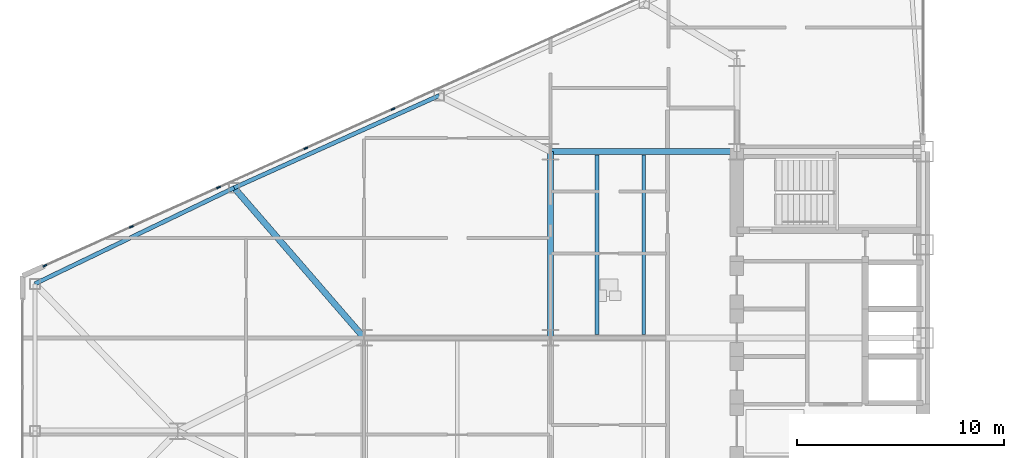
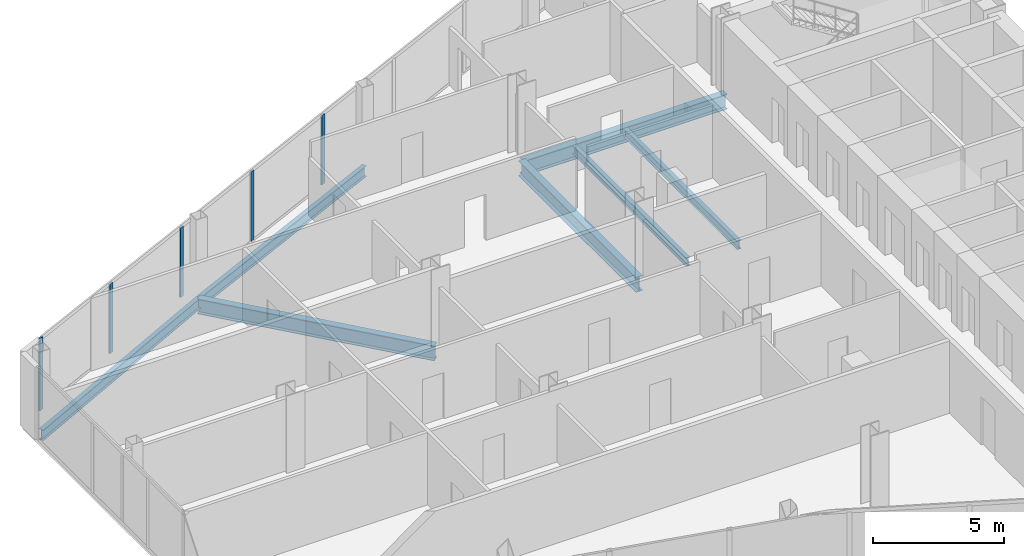
# One storey, part 7 of 27: 7 beams, 5 members, 1 element without a shape of its own.
"""IFC4 building model written with IfcOpenShell, lengths in metres."""

from ifc_helpers import new_model, si_unit, direction, frame, origin, origin_2d, place, context, subcontext, project, spatial, rectangle, i_section, extrude, source, transform, mapped, material, layer, layer_set, material_profile, profile_set, type_object, type_shapes, element, aggregate, save


model = new_model("IFC4")

# Units and contexts
model_context = context("Model", 3, precision=1e-05, world=origin(), true_north=direction((0.0, 1.0)))
body_context = subcontext(model_context, "Body", "Model", "MODEL_VIEW")
ifc_project = project(units=[si_unit("LENGTHUNIT", "METRE"), si_unit("AREAUNIT", "SQUARE_METRE"), si_unit("VOLUMEUNIT", "CUBIC_METRE"), si_unit("PLANEANGLEUNIT", "RADIAN"), si_unit("MASSUNIT", "GRAM", prefix="KILO")], contexts=[model_context])

# Site, building, storey
site_placement = place(None, origin())
site = spatial("IfcSite", under=ifc_project, at=site_placement, CompositionType="ELEMENT")
building_placement = place(site_placement, origin())
building = spatial("IfcBuilding", under=site, at=building_placement, Name="Seokmaru Belvedere", CompositionType="ELEMENT")
storey_placement = place(building_placement, frame((0.0, 0.0, 80.10009765625)))
storey = spatial("IfcBuildingStorey", under=building, at=storey_placement, Name="L21", CompositionType="ELEMENT", Elevation=80.10009765625)

# Beams
ifc_material_1 = material(Name="Steel SM355 (355 MPa)", Category="steel")
ifc_material_profile_1 = material_profile(ifc_material_1, i_section(OverallWidth=0.300048828125, OverallDepth=0.699951171875, WebThickness=0.012939453125, FlangeThickness=0.02392578125, at=origin_2d()), Name="H-700x300x13x24")
ifc_profile_set_1 = profile_set([ifc_material_profile_1], Name="Steel SM355 (355 MPa)")
beam_type_1 = type_object("IfcBeamType", Name="Primary Floor Girder H-700", PredefinedType="BEAM", material=ifc_profile_set_1)
shared_shape_1 = source(origin(), body_context, "Body", "SweptSolid", [
    extrude(i_section(OverallWidth=0.300048828125, OverallDepth=0.699951171875, WebThickness=0.012939453125, FlangeThickness=0.02392578125, at=origin_2d()), origin(), (0.0, 0.0, 1.0), 9.0),
])
for number, where, z_axis, x_axis, name in (
    (1, (-45.5, 4.5, -0.570068359375), (0.0, 1.0, 0.0), (-1.0, 0.0, 0.0), "L21 W Interior Grid Girder 3"),
    (2, (-45.5, 13.5, -0.570068359375), (1.0, 0.0, 0.0), (0.0, 1.0, 0.0), "L21 W Wing Primary Girder 4"),
):
    element("IfcBeam", number, at=place(storey_placement, frame(where, z_axis=z_axis, x_axis=x_axis)), inside=storey, type_object=beam_type_1, Name=name, PredefinedType="BEAM", context=body_context, shape_type="MappedRepresentation", body=[
        mapped(shared_shape_1, transform((0.0, 0.0, 0.0), scale=1.0)),
    ])
ifc_material_profile_2 = material_profile(ifc_material_1, i_section(OverallWidth=0.18505859375, OverallDepth=0.389892578125, WebThickness=0.008056640625, FlangeThickness=0.011962890625, at=origin_2d()), Name="H-390x185x8x12")
ifc_profile_set_2 = profile_set([ifc_material_profile_2], Name="Steel SM355 (355 MPa)")
beam_type_2 = type_object("IfcBeamType", Name="Secondary Floor Joist H-350", PredefinedType="JOIST", material=ifc_profile_set_2)
shared_shape_2 = source(origin(), body_context, "Body", "SweptSolid", [
    extrude(i_section(OverallWidth=0.18505859375, OverallDepth=0.389892578125, WebThickness=0.008056640625, FlangeThickness=0.011962890625, at=origin_2d()), origin(), (0.0, 0.0, 1.0), 8.68994140625),
])
type_shapes(beam_type_2, [shared_shape_2])
for number, where, z_axis, x_axis, name in (
    (3, (-43.25, 4.655029296875, -0.4150390625), (0.0, 1.0, 0.0), (-1.0, 0.0, 0.0), "L21 W Wing Inner Secondary Joist 2"),
    (4, (-41.0, 4.655029296875, -0.4150390625), (0.0, 1.0, 0.0), (-1.0, 0.0, 0.0), "L21 W Secondary Floor Joist 3"),
):
    element("IfcBeam", number, at=place(storey_placement, frame(where, z_axis=z_axis, x_axis=x_axis)), inside=storey, type_object=beam_type_2, Name=name, PredefinedType="JOIST", context=body_context, shape_type="MappedRepresentation", body=[
        mapped(shared_shape_2, transform((0.0, 0.0, 0.0), scale=1.0)),
    ])
ifc_material_profile_3 = material_profile(ifc_material_1, i_section(OverallWidth=0.199951171875, OverallDepth=0.5, WebThickness=0.010009765625, FlangeThickness=0.01611328125, at=origin_2d()), Name="H-500x200x10x16")
ifc_profile_set_3 = profile_set([ifc_material_profile_3], Name="Steel SM355 (355 MPa)")
beam_type_3 = type_object("IfcBeamType", Name="Perimeter Spandrel Beam H-500", PredefinedType="SPANDREL", material=ifc_profile_set_3)
shared_shape_3 = source(origin(), body_context, "Body", "SweptSolid", [
    extrude(i_section(OverallWidth=0.199951171875, OverallDepth=0.5, WebThickness=0.010009765625, FlangeThickness=0.01611328125, at=origin_2d()), origin(), (0.0, 0.0, 1.0), 10.85888671875),
])
beam_1_placement = place(storey_placement, frame((-50.875, 16.205322265625, -0.47021484375), z_axis=(-0.911925291223, -0.410356263785, 0.0), x_axis=(0.410356263785, -0.911925291223, 0.0)))
element("IfcBeam", 5, at=beam_1_placement, inside=storey, type_object=beam_type_3, Name="L21 W Faceted Flank Spandrel N-3", PredefinedType="SPANDREL", context=body_context, shape_type="MappedRepresentation", body=[
    mapped(shared_shape_3, transform((0.0, 0.0, 0.0), scale=1.0)),
])
shared_shape_4 = source(origin(), body_context, "Body", "SweptSolid", [
    extrude(i_section(OverallWidth=0.199951171875, OverallDepth=0.5, WebThickness=0.010009765625, FlangeThickness=0.01611328125, at=origin_2d()), origin(), (0.0, 0.0, 1.0), 10.681396484375),
])
type_shapes(beam_type_3, [shared_shape_3, shared_shape_4])
beam_2_placement = place(storey_placement, frame((-60.777587890625, 11.749267578125, -0.47021484375), z_axis=(-0.900846426616, -0.434137899352, 0.0), x_axis=(0.434137899352, -0.900846426616, 0.0)))
element("IfcBeam", 6, at=beam_2_placement, inside=storey, type_object=beam_type_3, Name="L21 W Faceted Flank Spandrel N-4", PredefinedType="SPANDREL", context=body_context, shape_type="MappedRepresentation", body=[
    mapped(shared_shape_4, transform((0.0, 0.0, 0.0), scale=1.0)),
])
shared_shape_5 = source(origin(), body_context, "Body", "SweptSolid", [
    extrude(i_section(OverallWidth=0.300048828125, OverallDepth=0.699951171875, WebThickness=0.012939453125, FlangeThickness=0.02392578125, at=origin_2d()), origin(), (0.0, 0.0, 1.0), 9.589599609375),
])
type_shapes(beam_type_1, [shared_shape_1, shared_shape_5])
beam_3_placement = place(storey_placement, frame((-60.777587890625, 11.749267578125, -0.570068359375), z_axis=(0.654626140929, -0.755952786629, 0.0), x_axis=(0.755952786629, 0.654626140929, 0.0)))
element("IfcBeam", 7, at=beam_3_placement, inside=storey, type_object=beam_type_1, Name="L21 W Flank Radial Floor Girder N-3", PredefinedType="BEAM", context=body_context, shape_type="MappedRepresentation", body=[
    mapped(shared_shape_5, transform((0.0, 0.0, 0.0), scale=1.0)),
])

# Curtain wall, members
ifc_material_2 = material(Name="Bronze Triple Insulating Glass", Category="glass")
ifc_layer = layer(ifc_material_2, 0.195068359375)
ifc_layer_set = layer_set([ifc_layer], Name="Bronze Triple Insulating Glass")
curtain_wall_type = type_object("IfcCurtainWallType", Name="Lower-Mid Tapered Curtain Wall System CW-3", PredefinedType="NOTDEFINED", material=ifc_layer_set)
curtain_wall_placement = place(storey_placement, origin())
curtain_wall = element("IfcCurtainWall", 8, at=curtain_wall_placement, inside=storey, type_object=curtain_wall_type, Name="L21 Curtain Wall WF3", PredefinedType="NOTDEFINED")
ifc_material_3 = material(Name="Anodised Bronze Aluminium", Category="aluminium")
ifc_material_profile_4 = material_profile(ifc_material_3, rectangle(XDim=0.070068359375, YDim=0.195068359375, at=origin_2d()), Name="CW-M-70x195")
ifc_profile_set_4 = profile_set([ifc_material_profile_4], Name="Anodised Bronze Aluminium")
member_type = type_object("IfcMemberType", Name="Bronze Unitised Mullion 70x195", PredefinedType="MULLION", material=ifc_profile_set_4)
shared_shape_6 = source(origin(), body_context, "Body", "SweptSolid", [
    extrude(rectangle(XDim=0.070068359375, YDim=0.195068359375, at=origin_2d()), origin(), (0.0, 0.0, 1.0), 3.3798828125),
])
member_1_placement = place(storey_placement, frame((-69.91943359375, 7.986328125, 0.0), z_axis=(0.0, 0.0, 1.0), x_axis=(0.41036554765, -0.91192111353, 0.0)))
member_1 = element("IfcMember", 9, at=member_1_placement, type_object=member_type, Name="CW:L21:WF3 Mullion 10", PredefinedType="MULLION", context=body_context, shape_type="MappedRepresentation", body=[
    mapped(shared_shape_6, transform((0.0, 0.0, 0.0), scale=1.0)),
])
shared_shape_7 = source(origin(), body_context, "Body", "SweptSolid", [
    extrude(rectangle(XDim=0.070068359375, YDim=0.195068359375, at=origin_2d()), origin(), (0.0, 0.0, 1.0), 3.239990234375),
])
type_shapes(member_type, [shared_shape_6, shared_shape_7])
member_2_placement = place(storey_placement, frame((-53.105712890625, 15.552490234375, 0.06982421875), z_axis=(0.0, 0.0, 1.0), x_axis=(0.41036554765, -0.91192111353, 0.0)))
member_2 = element("IfcMember", 10, at=member_2_placement, type_object=member_type, Name="CW:L21:WF3 Mullion 6", PredefinedType="MULLION", context=body_context, shape_type="MappedRepresentation", body=[
    mapped(shared_shape_7, transform((0.0, 0.0, 0.0), scale=1.0)),
])
member_3_placement = place(storey_placement, frame((-57.317138671875, 13.6572265625, 0.06982421875), z_axis=(0.0, 0.0, 1.0), x_axis=(0.41036554765, -0.91192111353, 0.0)))
member_3 = element("IfcMember", 11, at=member_3_placement, type_object=member_type, Name="CW:L21:WF3 Mullion 7", PredefinedType="MULLION", context=body_context, shape_type="MappedRepresentation", body=[
    mapped(shared_shape_7, transform((0.0, 0.0, 0.0), scale=1.0)),
])
member_4_placement = place(storey_placement, frame((-61.528564453125, 11.76220703125, 0.06982421875), z_axis=(0.0, 0.0, 1.0), x_axis=(0.41036554765, -0.91192111353, 0.0)))
member_4 = element("IfcMember", 12, at=member_4_placement, type_object=member_type, Name="CW:L21:WF3 Mullion 8", PredefinedType="MULLION", context=body_context, shape_type="MappedRepresentation", body=[
    mapped(shared_shape_7, transform((0.0, 0.0, 0.0), scale=1.0)),
])
member_5_placement = place(storey_placement, frame((-65.739990234375, 9.866943359375, 0.06982421875), z_axis=(0.0, 0.0, 1.0), x_axis=(0.41036554765, -0.91192111353, 0.0)))
member_5 = element("IfcMember", 13, at=member_5_placement, type_object=member_type, Name="CW:L21:WF3 Mullion 9", PredefinedType="MULLION", context=body_context, shape_type="MappedRepresentation", body=[
    mapped(shared_shape_7, transform((0.0, 0.0, 0.0), scale=1.0)),
])
aggregate(curtain_wall, [member_2, member_3, member_4, member_5, member_1])

save(model, "model.ifc")
